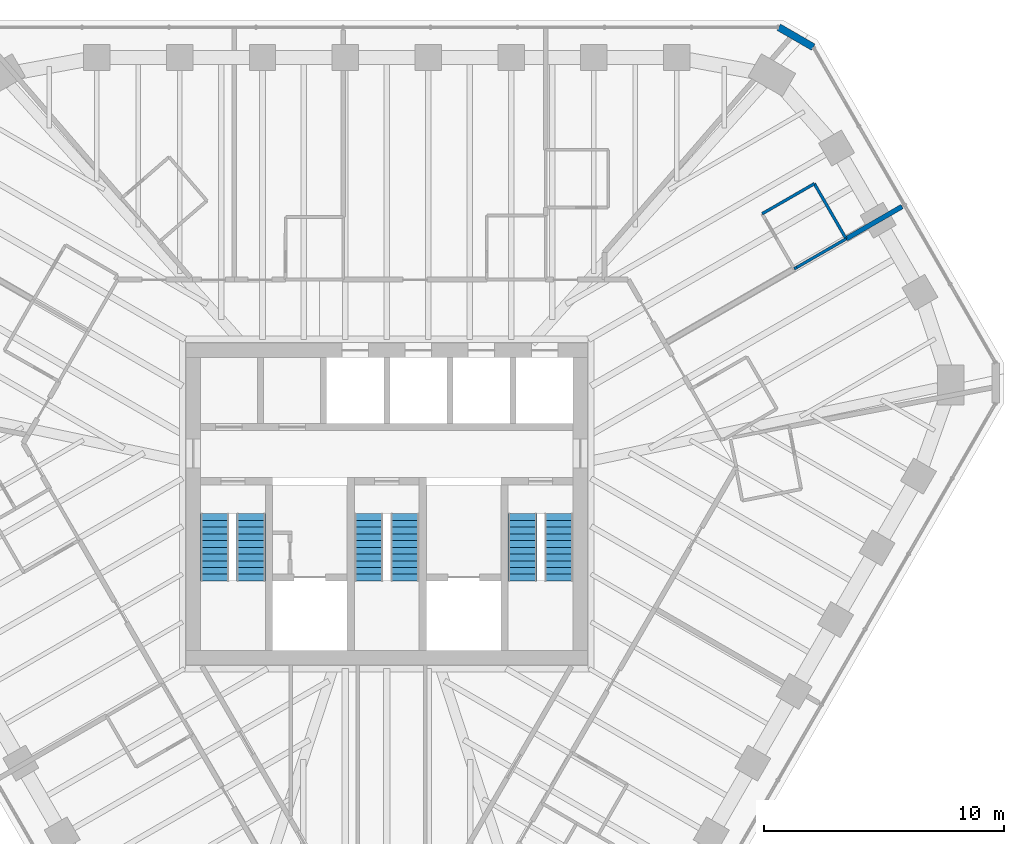
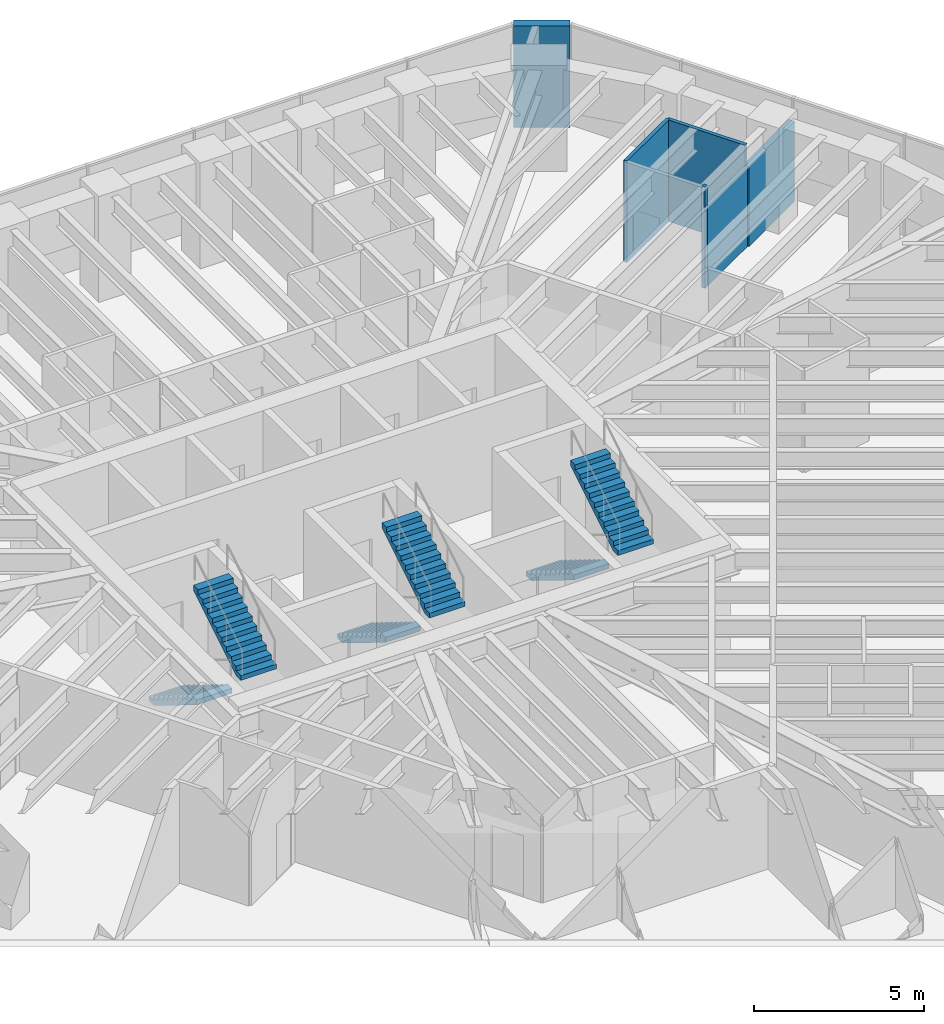
# One storey, part 13 of 14: 6 stair flights, 6 walls, 3 elements without a shape of their own.
"""IFC4 building model written with IfcOpenShell, lengths in metres."""

from ifc_helpers import new_model, si_unit, direction, frame, frame_2d, origin, place, context, subcontext, project, spatial, polyline, rectangle, outline, extrude, material, layer, layer_set, type_object, element, aggregate, save


model = new_model("IFC4")

# Units and contexts
model_context = context("Model", 3, precision=1e-05, world=origin(), true_north=direction((0.0, 1.0)))
body_context = subcontext(model_context, "Body", "Model", "MODEL_VIEW")
ifc_project = project(units=[si_unit("LENGTHUNIT", "METRE"), si_unit("AREAUNIT", "SQUARE_METRE"), si_unit("VOLUMEUNIT", "CUBIC_METRE"), si_unit("PLANEANGLEUNIT", "RADIAN"), si_unit("MASSUNIT", "GRAM", prefix="KILO")], contexts=[model_context])

# Site, building, storey
site_placement = place(None, origin())
site = spatial("IfcSite", under=ifc_project, at=site_placement, CompositionType="ELEMENT")
building_placement = place(site_placement, origin())
building = spatial("IfcBuilding", under=site, at=building_placement, Name="Sandreach Pilgrim Tower", CompositionType="ELEMENT")
storey_placement = place(building_placement, frame((0.0, 0.0, 260.800048828125)))
storey = spatial("IfcBuildingStorey", under=building, at=storey_placement, Name="L65", CompositionType="ELEMENT", Elevation=260.800048828125)

# Walls
ifc_material_1 = material(Name="Moisture-resistant gypsum board on steel studs", Category="steel")
ifc_layer_1 = layer(ifc_material_1, 0.1201171875)
ifc_layer_set_1 = layer_set([ifc_layer_1], Name="Bathroom partition 120")
wall_type_1 = type_object("IfcWallType", Name="Bathroom partition 120", PredefinedType="PARTITIONING", material=ifc_layer_set_1)
wall_1_placement = place(storey_placement, frame((16.93994140625, 9.780029296875, 0.0), z_axis=(0.0, 0.0, 1.0), x_axis=(0.877895572914, 0.478852130681, 0.0)))
element("IfcWall", 1, at=wall_1_placement, inside=storey, type_object=wall_type_1, Name="Bathroom partition L65-121", PredefinedType="PARTITIONING", context=body_context, shape_type="SweptSolid", body=[
    extrude(rectangle(XDim=0.12548828125, YDim=0.1201171875, at=frame_2d((0.062744140625, 0.0))), origin(), (0.0, 0.0, 1.0), 3.639892578125),
])
wall_2_placement = place(storey_placement, frame((17.050048828125, 9.840087890625, 0.0), z_axis=(0.0, 0.0, 1.0), x_axis=(0.865741107356, 0.500492092878, 0.0)))
element("IfcWall", 2, at=wall_2_placement, inside=storey, type_object=wall_type_1, Name="Bathroom partition L65-122", PredefinedType="PARTITIONING", context=body_context, shape_type="SweptSolid", body=[
    extrude(rectangle(XDim=2.3701171875, YDim=0.1201171875, at=frame_2d((1.18505859375, 0.0))), origin(), (0.0, 0.0, 1.0), 2.8779296875),
])
wall_3_placement = place(storey_placement, frame((17.780029296875, 13.320068359375, 0.0), z_axis=(0.0, 0.0, 1.0), x_axis=(-0.86653430447, -0.499117520406, 0.0)))
element("IfcWall", 3, at=wall_3_placement, inside=storey, type_object=wall_type_1, Name="Bathroom partition L65-124", PredefinedType="PARTITIONING", context=body_context, shape_type="SweptSolid", body=[
    extrude(rectangle(XDim=2.50439453125, YDim=0.1201171875, at=frame_2d((1.252197265625, 0.0))), origin(), (0.0, 0.0, 1.0), 3.639892578125),
])
wall_4_placement = place(storey_placement, frame((19.10009765625, 11.030029296875, 0.0), z_axis=(0.0, 0.0, 1.0), x_axis=(-0.499407914056, 0.866366975004, 0.0)))
element("IfcWall", 4, at=wall_4_placement, inside=storey, type_object=wall_type_1, Name="Bathroom partition L65-126", PredefinedType="PARTITIONING", context=body_context, shape_type="SweptSolid", body=[
    extrude(rectangle(XDim=2.643310546875, YDim=0.1201171875, at=frame_2d((1.32177734375, 0.0))), origin(), (0.0, 0.0, 1.0), 3.639892578125),
])
ifc_material_2 = material(Name="Double steel stud acoustic wall, gypsum board", Category="steel")
ifc_layer_2 = layer(ifc_material_2, 0.199951171875)
ifc_layer_set_2 = layer_set([ifc_layer_2], Name="Party wall 200")
wall_type_2 = type_object("IfcWallType", Name="Party wall 200", PredefinedType="PARTITIONING", material=ifc_layer_set_2)
wall_5_placement = place(storey_placement, frame((19.10205078125, 11.0263671875, 0.0), z_axis=(0.0, 0.0, 1.0), x_axis=(0.865741604349, 0.50049123319, 0.0)))
element("IfcWall", 5, at=wall_5_placement, inside=storey, type_object=wall_type_2, Name="Party wall L65-127", PredefinedType="PARTITIONING", context=body_context, shape_type="SweptSolid", body=[
    extrude(rectangle(XDim=2.684326171875, YDim=0.199951171875, at=frame_2d((1.34228515625, 0.0))), origin(), (0.0, 0.0, 1.0), 2.8779296875),
])
ifc_material_3 = material(Name="Terracotta rainscreen on concrete", Category="masonry")
ifc_layer_3 = layer(ifc_material_3, 0.300048828125)
ifc_layer_set_3 = layer_set([ifc_layer_3], Name="Terracotta chamfer pier")
wall_type_3 = type_object("IfcWallType", Name="Terracotta chamfer pier", PredefinedType="SOLIDWALL", material=ifc_layer_set_3)
wall_6_placement = place(storey_placement, frame((16.29833984375, 19.826416015625, 0.0), z_axis=(0.0, 0.0, 1.0), x_axis=(0.866026405774, -0.499998264499, 0.0)))
element("IfcWall", 6, at=wall_6_placement, inside=storey, type_object=wall_type_3, Name="Chamfer pier L65 N", PredefinedType="SOLIDWALL", context=body_context, shape_type="SweptSolid", body=[
    extrude(rectangle(XDim=1.66015625, YDim=0.300048828125, at=frame_2d((0.830078125, 0.0))), origin(), (0.0, 0.0, 1.0), 3.639892578125),
])

# Stair, stair flights
ifc_material_4 = material(Name="Concrete 8000 psi", Category="concrete")
stair_type = type_object("IfcStairType", Name="Core exit stair", PredefinedType="HALF_TURN_STAIR", material=ifc_material_4)
stair_1_placement = place(storey_placement, origin())
stair_1 = element("IfcStair", 7, at=stair_1_placement, inside=storey, type_object=stair_type, Name="Exit stair ST1 L65", PredefinedType="HALF_TURN_STAIR")
ifc_material_5 = material(Name="Concrete 8000 psi", Category="concrete")
stair_flight_type = type_object("IfcStairFlightType", Name="Core stair flight 1200", PredefinedType="STRAIGHT", material=ifc_material_5)
stair_flight_1_placement = place(storey_placement, frame((-7.14990234375, -0.39990234375, 0.0), z_axis=(0.0, 0.0, 1.0), x_axis=(0.0, -1.0, 0.0)))
stair_flight_1 = element("IfcStairFlight", 8, at=stair_flight_1_placement, type_object=stair_flight_type, Name="ST1 flight 1", NumberOfRisers=11, NumberOfTreads=10, PredefinedType="STRAIGHT", RiserHeight=0.172727273, TreadLength=0.28, context=body_context, shape_type="SweptSolid", body=[
    extrude(outline(polyline([(0.0, 0.0), (0.0, 0.172607421875), (0.280029296875, 0.172607421875), (0.280029296875, 0.345458984375), (0.56005859375, 0.345458984375), (0.56005859375, 0.51806640625), (0.840087890625, 0.51806640625), (0.840087890625, 0.69091796875), (1.1201171875, 0.69091796875), (1.1201171875, 0.863525390625), (1.39990234375, 0.863525390625), (1.39990234375, 1.036376953125), (1.679931640625, 1.036376953125), (1.679931640625, 1.208984375), (1.9599609375, 1.208984375), (1.9599609375, 1.3818359375), (2.239990234375, 1.3818359375), (2.239990234375, 1.554443359375), (2.52001953125, 1.554443359375), (2.52001953125, 1.727294921875), (2.800048828125, 1.727294921875), (2.800048828125, 1.89990234375), (2.800048828125, 1.551025390625), (0.285400390625, 0.0), (0.0, 0.0)])), frame((0.0, 0.60009765625, 0.0), z_axis=(0.0, -1.0, 0.0), x_axis=(1.0, 0.0, 0.0)), (0.0, 0.0, 1.0), 1.199951171875),
])
stair_flight_2_placement = place(storey_placement, frame((-5.64990234375, -3.199951171875, 1.89990234375), z_axis=(0.0, 0.0, 1.0), x_axis=(0.0, 1.0, 0.0)))
stair_flight_2 = element("IfcStairFlight", 9, at=stair_flight_2_placement, type_object=stair_flight_type, Name="ST1 flight 2", NumberOfRisers=11, NumberOfTreads=10, PredefinedType="STRAIGHT", RiserHeight=0.172727273, TreadLength=0.28, context=body_context, shape_type="SweptSolid", body=[
    extrude(outline(polyline([(0.0, 0.0), (0.0, 0.172607421875), (0.280029296875, 0.172607421875), (0.280029296875, 0.345458984375), (0.56005859375, 0.345458984375), (0.56005859375, 0.51806640625), (0.840087890625, 0.51806640625), (0.840087890625, 0.69091796875), (1.1201171875, 0.69091796875), (1.1201171875, 0.863525390625), (1.39990234375, 0.863525390625), (1.39990234375, 1.036376953125), (1.679931640625, 1.036376953125), (1.679931640625, 1.208984375), (1.9599609375, 1.208984375), (1.9599609375, 1.3818359375), (2.239990234375, 1.3818359375), (2.239990234375, 1.554443359375), (2.52001953125, 1.554443359375), (2.52001953125, 1.727294921875), (2.800048828125, 1.727294921875), (2.800048828125, 1.89990234375), (2.800048828125, 1.551025390625), (0.285400390625, 0.0), (0.0, 0.0)])), frame((0.0, 0.60009765625, 0.0), z_axis=(0.0, -1.0, 0.0), x_axis=(1.0, 0.0, 0.0)), (0.0, 0.0, 1.0), 1.199951171875),
])
aggregate(stair_1, [stair_flight_1, stair_flight_2])

stair_2_placement = place(storey_placement, origin())
stair_2 = element("IfcStair", 10, at=stair_2_placement, inside=storey, type_object=stair_type, Name="Exit stair ST3 L65", PredefinedType="HALF_TURN_STAIR")
stair_flight_3_placement = place(storey_placement, frame((-0.75, -0.39990234375, 0.0), z_axis=(0.0, 0.0, 1.0), x_axis=(0.0, -1.0, 0.0)))
stair_flight_3 = element("IfcStairFlight", 11, at=stair_flight_3_placement, type_object=stair_flight_type, Name="ST3 flight 1", NumberOfRisers=11, NumberOfTreads=10, PredefinedType="STRAIGHT", RiserHeight=0.172727273, TreadLength=0.28, context=body_context, shape_type="SweptSolid", body=[
    extrude(outline(polyline([(0.0, 0.0), (0.0, 0.172607421875), (0.280029296875, 0.172607421875), (0.280029296875, 0.345458984375), (0.56005859375, 0.345458984375), (0.56005859375, 0.51806640625), (0.840087890625, 0.51806640625), (0.840087890625, 0.69091796875), (1.1201171875, 0.69091796875), (1.1201171875, 0.863525390625), (1.39990234375, 0.863525390625), (1.39990234375, 1.036376953125), (1.679931640625, 1.036376953125), (1.679931640625, 1.208984375), (1.9599609375, 1.208984375), (1.9599609375, 1.3818359375), (2.239990234375, 1.3818359375), (2.239990234375, 1.554443359375), (2.52001953125, 1.554443359375), (2.52001953125, 1.727294921875), (2.800048828125, 1.727294921875), (2.800048828125, 1.89990234375), (2.800048828125, 1.551025390625), (0.285400390625, 0.0), (0.0, 0.0)])), frame((0.0, 0.60009765625, 0.0), z_axis=(0.0, -1.0, 0.0), x_axis=(1.0, 0.0, 0.0)), (0.0, 0.0, 1.0), 1.199951171875),
])
stair_flight_4_placement = place(storey_placement, frame((0.75, -3.199951171875, 1.89990234375), z_axis=(0.0, 0.0, 1.0), x_axis=(0.0, 1.0, 0.0)))
stair_flight_4 = element("IfcStairFlight", 12, at=stair_flight_4_placement, type_object=stair_flight_type, Name="ST3 flight 2", NumberOfRisers=11, NumberOfTreads=10, PredefinedType="STRAIGHT", RiserHeight=0.172727273, TreadLength=0.28, context=body_context, shape_type="SweptSolid", body=[
    extrude(outline(polyline([(0.0, 0.0), (0.0, 0.172607421875), (0.280029296875, 0.172607421875), (0.280029296875, 0.345458984375), (0.56005859375, 0.345458984375), (0.56005859375, 0.51806640625), (0.840087890625, 0.51806640625), (0.840087890625, 0.69091796875), (1.1201171875, 0.69091796875), (1.1201171875, 0.863525390625), (1.39990234375, 0.863525390625), (1.39990234375, 1.036376953125), (1.679931640625, 1.036376953125), (1.679931640625, 1.208984375), (1.9599609375, 1.208984375), (1.9599609375, 1.3818359375), (2.239990234375, 1.3818359375), (2.239990234375, 1.554443359375), (2.52001953125, 1.554443359375), (2.52001953125, 1.727294921875), (2.800048828125, 1.727294921875), (2.800048828125, 1.89990234375), (2.800048828125, 1.551025390625), (0.285400390625, 0.0), (0.0, 0.0)])), frame((0.0, 0.60009765625, 0.0), z_axis=(0.0, -1.0, 0.0), x_axis=(1.0, 0.0, 0.0)), (0.0, 0.0, 1.0), 1.199951171875),
])
aggregate(stair_2, [stair_flight_3, stair_flight_4])

stair_3_placement = place(storey_placement, origin())
stair_3 = element("IfcStair", 13, at=stair_3_placement, inside=storey, type_object=stair_type, Name="Exit stair ST2 L65", PredefinedType="HALF_TURN_STAIR")
stair_flight_5_placement = place(storey_placement, frame((5.64990234375, -0.39990234375, 0.0), z_axis=(0.0, 0.0, 1.0), x_axis=(0.0, -1.0, 0.0)))
stair_flight_5 = element("IfcStairFlight", 14, at=stair_flight_5_placement, type_object=stair_flight_type, Name="ST2 flight 1", NumberOfRisers=11, NumberOfTreads=10, PredefinedType="STRAIGHT", RiserHeight=0.172727273, TreadLength=0.28, context=body_context, shape_type="SweptSolid", body=[
    extrude(outline(polyline([(0.0, 0.0), (0.0, 0.172607421875), (0.280029296875, 0.172607421875), (0.280029296875, 0.345458984375), (0.56005859375, 0.345458984375), (0.56005859375, 0.51806640625), (0.840087890625, 0.51806640625), (0.840087890625, 0.69091796875), (1.1201171875, 0.69091796875), (1.1201171875, 0.863525390625), (1.39990234375, 0.863525390625), (1.39990234375, 1.036376953125), (1.679931640625, 1.036376953125), (1.679931640625, 1.208984375), (1.9599609375, 1.208984375), (1.9599609375, 1.3818359375), (2.239990234375, 1.3818359375), (2.239990234375, 1.554443359375), (2.52001953125, 1.554443359375), (2.52001953125, 1.727294921875), (2.800048828125, 1.727294921875), (2.800048828125, 1.89990234375), (2.800048828125, 1.551025390625), (0.285400390625, 0.0), (0.0, 0.0)])), frame((0.0, 0.60009765625, 0.0), z_axis=(0.0, -1.0, 0.0), x_axis=(1.0, 0.0, 0.0)), (0.0, 0.0, 1.0), 1.199951171875),
])
stair_flight_6_placement = place(storey_placement, frame((7.14990234375, -3.199951171875, 1.89990234375), z_axis=(0.0, 0.0, 1.0), x_axis=(0.0, 1.0, 0.0)))
stair_flight_6 = element("IfcStairFlight", 15, at=stair_flight_6_placement, type_object=stair_flight_type, Name="ST2 flight 2", NumberOfRisers=11, NumberOfTreads=10, PredefinedType="STRAIGHT", RiserHeight=0.172727273, TreadLength=0.28, context=body_context, shape_type="SweptSolid", body=[
    extrude(outline(polyline([(0.0, 0.0), (0.0, 0.172607421875), (0.280029296875, 0.172607421875), (0.280029296875, 0.345458984375), (0.56005859375, 0.345458984375), (0.56005859375, 0.51806640625), (0.840087890625, 0.51806640625), (0.840087890625, 0.69091796875), (1.1201171875, 0.69091796875), (1.1201171875, 0.863525390625), (1.39990234375, 0.863525390625), (1.39990234375, 1.036376953125), (1.679931640625, 1.036376953125), (1.679931640625, 1.208984375), (1.9599609375, 1.208984375), (1.9599609375, 1.3818359375), (2.239990234375, 1.3818359375), (2.239990234375, 1.554443359375), (2.52001953125, 1.554443359375), (2.52001953125, 1.727294921875), (2.800048828125, 1.727294921875), (2.800048828125, 1.89990234375), (2.800048828125, 1.551025390625), (0.285400390625, 0.0), (0.0, 0.0)])), frame((0.0, 0.60009765625, 0.0), z_axis=(0.0, -1.0, 0.0), x_axis=(1.0, 0.0, 0.0)), (0.0, 0.0, 1.0), 1.199951171875),
])
aggregate(stair_3, [stair_flight_5, stair_flight_6])

save(model, "model.ifc")
